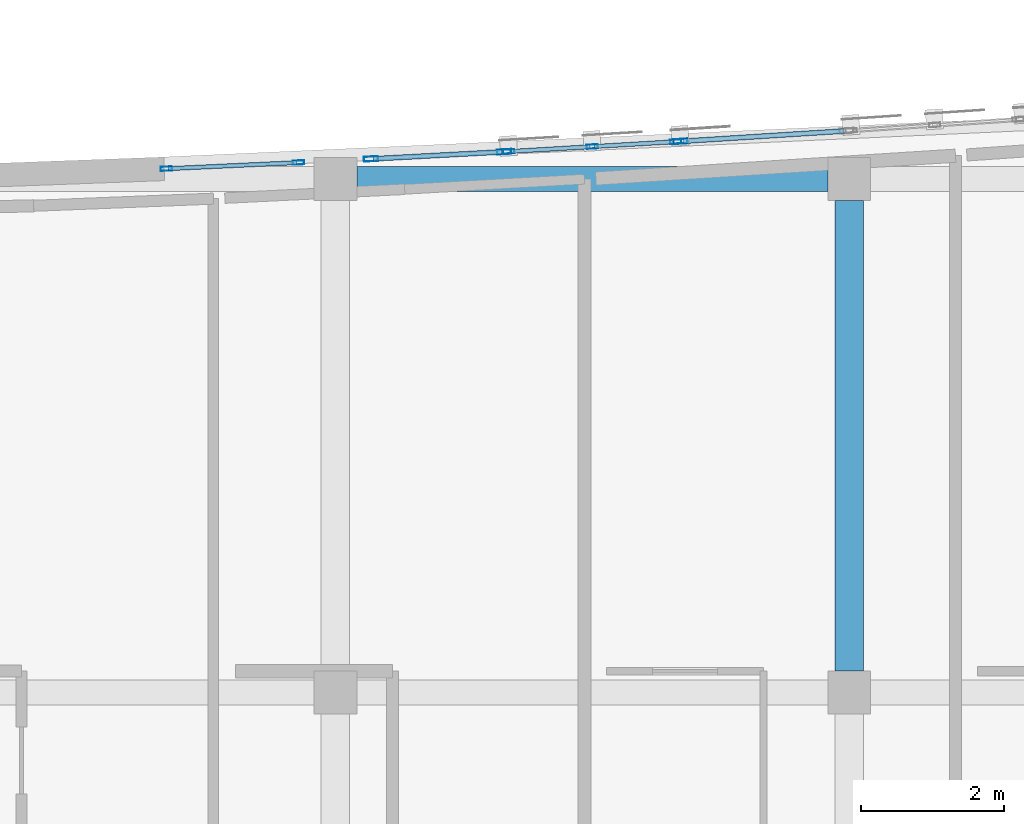
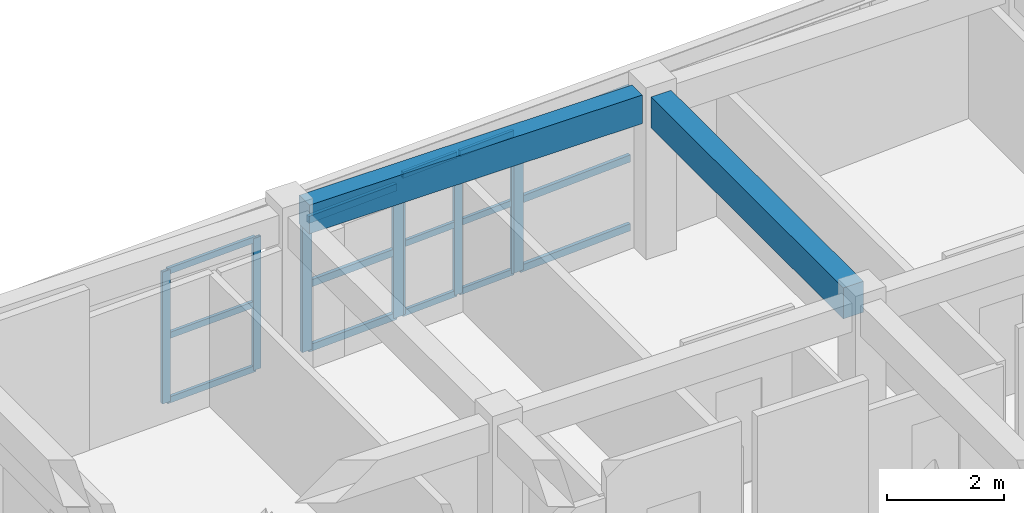
# One storey, part 5 of 41: 23 members, 2 beams, 4 elements without a shape of their own.
"""IFC4 building model written with IfcOpenShell, lengths in metres."""

from ifc_helpers import new_model, si_unit, direction, frame, origin, origin_2d, place, context, subcontext, project, spatial, rectangle, hollow_rectangle, extrude, material, layer, layer_set, material_profile, profile_set, type_object, element, aggregate, save


model = new_model("IFC4")

# Units and contexts
model_context = context("Model", 3, precision=1e-05, world=origin(), true_north=direction((0.0, 1.0)))
body_context = subcontext(model_context, "Body", "Model", "MODEL_VIEW")
ifc_project = project(units=[si_unit("LENGTHUNIT", "METRE"), si_unit("AREAUNIT", "SQUARE_METRE"), si_unit("VOLUMEUNIT", "CUBIC_METRE"), si_unit("PLANEANGLEUNIT", "RADIAN"), si_unit("MASSUNIT", "GRAM", prefix="KILO")], contexts=[model_context])

# Site, building, storey
site_placement = place(None, origin())
site = spatial("IfcSite", under=ifc_project, at=site_placement, CompositionType="ELEMENT")
building_placement = place(site_placement, origin())
building = spatial("IfcBuilding", under=site, at=building_placement, Name="Carrowvane Square Congress Hotel", CompositionType="ELEMENT")
storey_placement = place(building_placement, frame((0.0, 0.0, 37.199951171875)))
storey = spatial("IfcBuildingStorey", under=building, at=storey_placement, Name="L09", CompositionType="ELEMENT", Elevation=37.199951171875)

# Beams
ifc_material_1 = material(Name="Concrete C35/45", Category="concrete")
ifc_material_profile_1 = material_profile(ifc_material_1, rectangle(XDim=0.35009765625, YDim=0.60009765625, at=origin_2d()), Name="RC 350x600")
ifc_profile_set_1 = profile_set([ifc_material_profile_1], Name="Concrete C35/45")
beam_type_1 = type_object("IfcBeamType", Name="BM-RC-350x600", PredefinedType="BEAM", material=ifc_profile_set_1)
beam_1_placement = place(storey_placement, frame((40.699951171875, 113.39990234375, 3.080078125), z_axis=(1.0, 0.0, 0.0), x_axis=(0.0, 1.0, 0.0)))
element("IfcBeam", 1, at=beam_1_placement, inside=storey, type_object=beam_type_1, Name="L10 girder R/5-6", PredefinedType="BEAM", context=body_context, shape_type="SweptSolid", body=[
    extrude(rectangle(XDim=0.35009765625, YDim=0.60009765625, at=origin_2d()), origin(), (0.0, 0.0, 1.0), 6.60009765625),
])
ifc_material_2 = material(Name="Concrete C35/45", Category="concrete")
ifc_material_profile_2 = material_profile(ifc_material_2, rectangle(XDim=0.39990234375, YDim=0.64990234375, at=origin_2d()), Name="RC 400x650")
ifc_profile_set_2 = profile_set([ifc_material_profile_2], Name="Concrete C35/45")
beam_type_2 = type_object("IfcBeamType", Name="BM-RC-400x650", PredefinedType="BEAM", material=ifc_profile_set_2)
beam_2_placement = place(storey_placement, frame((47.60009765625, 106.5, 3.054931640625), z_axis=(0.0, 1.0, 0.0), x_axis=(-1.0, 0.0, 0.0)))
element("IfcBeam", 2, at=beam_2_placement, inside=storey, type_object=beam_type_2, Name="L10 girder 6/Q-R", PredefinedType="BEAM", context=body_context, shape_type="SweptSolid", body=[
    extrude(rectangle(XDim=0.39990234375, YDim=0.64990234375, at=origin_2d()), origin(), (0.0, 0.0, 1.0), 6.60009765625),
])

# Curtain wall, members
ifc_material_3 = material(Name="Anodised aluminium", Category="aluminium")
ifc_layer_1 = layer(ifc_material_3, 0.18603515625)
ifc_layer_set_1 = layer_set([ifc_layer_1], Name="Anodised aluminium")
curtain_wall_type_1 = type_object("IfcCurtainWallType", Name="CW-SYS-3", PredefinedType="NOTDEFINED", material=ifc_layer_set_1)
curtain_wall_1_placement = place(storey_placement, origin())
curtain_wall_1 = element("IfcCurtainWall", 3, at=curtain_wall_1_placement, inside=storey, type_object=curtain_wall_type_1, Name="L09 unitised curtain wall 506", PredefinedType="NOTDEFINED")
ifc_material_4 = material(Name="Anodised aluminium", Category="aluminium")
ifc_material_profile_3 = material_profile(ifc_material_4, hollow_rectangle(XDim=0.06005859375, YDim=0.159912109375, WallThickness=0.00390625, at=origin_2d()), Name="CW-ML 60x160x4")
ifc_profile_set_3 = profile_set([ifc_material_profile_3], Name="Anodised aluminium")
member_type_1 = type_object("IfcMemberType", Name="CW-MUL-1", PredefinedType="MULLION", material=ifc_profile_set_3)
member_1_placement = place(storey_placement, frame((38.030029296875, 113.54248046875, 0.0), z_axis=(0.0, 0.0, 1.0), x_axis=(-0.046522035775, 0.998917263935, 0.0)))
member_1 = element("IfcMember", 4, at=member_1_placement, type_object=member_type_1, Name="CW-3 mullion 1", PredefinedType="MULLION", context=body_context, shape_type="SweptSolid", body=[
    extrude(hollow_rectangle(XDim=0.06005859375, YDim=0.159912109375, WallThickness=0.00390625, at=origin_2d()), origin(), (0.0, 0.0, 1.0), 2.76513671875),
])
member_2_placement = place(storey_placement, frame((39.88134765625, 113.628662109375, 0.0), z_axis=(0.0, 0.0, 1.0), x_axis=(-0.046522035775, 0.998917263935, 0.0)))
member_2 = element("IfcMember", 5, at=member_2_placement, type_object=member_type_1, Name="CW-3 mullion 2", PredefinedType="MULLION", context=body_context, shape_type="SweptSolid", body=[
    extrude(hollow_rectangle(XDim=0.06005859375, YDim=0.159912109375, WallThickness=0.00390625, at=origin_2d()), origin(), (0.0, 0.0, 1.0), 2.76513671875),
])

ifc_material_5 = material(Name="Anodised aluminium", Category="aluminium")
ifc_layer_2 = layer(ifc_material_5, 0.2099609375)
ifc_layer_set_2 = layer_set([ifc_layer_2], Name="Anodised aluminium")
curtain_wall_type_2 = type_object("IfcCurtainWallType", Name="CW-SYS-5", PredefinedType="NOTDEFINED", material=ifc_layer_set_2)
curtain_wall_2_placement = place(storey_placement, origin())
curtain_wall_2 = element("IfcCurtainWall", 6, at=curtain_wall_2_placement, inside=storey, type_object=curtain_wall_type_2, Name="L09 unitised curtain wall 508", PredefinedType="NOTDEFINED")
member_3_placement = place(storey_placement, frame((42.829833984375, 113.783203125, 0.0), z_axis=(0.0, 0.0, 1.0), x_axis=(-0.058988522254, 0.99825866099, 0.0)))
member_3 = element("IfcMember", 7, at=member_3_placement, type_object=member_type_1, Name="CW-5 mullion 1", PredefinedType="MULLION", context=body_context, shape_type="SweptSolid", body=[
    extrude(hollow_rectangle(XDim=0.06005859375, YDim=0.159912109375, WallThickness=0.00390625, at=origin_2d()), origin(), (0.0, 0.0, 1.0), 2.95556640625),
])
member_4_placement = place(storey_placement, frame((44.0, 113.852294921875, 0.0), z_axis=(0.0, 0.0, 1.0), x_axis=(-0.058988522254, 0.99825866099, 0.0)))
member_4 = element("IfcMember", 8, at=member_4_placement, type_object=member_type_1, Name="CW-5 mullion 2", PredefinedType="MULLION", context=body_context, shape_type="SweptSolid", body=[
    extrude(hollow_rectangle(XDim=0.06005859375, YDim=0.159912109375, WallThickness=0.00390625, at=origin_2d()), origin(), (0.0, 0.0, 1.0), 2.95556640625),
])
member_5_placement = place(storey_placement, frame((45.170166015625, 113.92138671875, 0.0), z_axis=(0.0, 0.0, 1.0), x_axis=(-0.058988522254, 0.99825866099, 0.0)))
member_5 = element("IfcMember", 9, at=member_5_placement, type_object=member_type_1, Name="CW-5 mullion 3", PredefinedType="MULLION", context=body_context, shape_type="SweptSolid", body=[
    extrude(hollow_rectangle(XDim=0.06005859375, YDim=0.159912109375, WallThickness=0.00390625, at=origin_2d()), origin(), (0.0, 0.0, 1.0), 2.95556640625),
])

ifc_material_6 = material(Name="Anodised aluminium", Category="aluminium")
ifc_layer_3 = layer(ifc_material_6, 0.197998046875)
ifc_layer_set_3 = layer_set([ifc_layer_3], Name="Anodised aluminium")
curtain_wall_type_3 = type_object("IfcCurtainWallType", Name="CW-SYS-4", PredefinedType="NOTDEFINED", material=ifc_layer_set_3)
curtain_wall_3_placement = place(storey_placement, origin())
curtain_wall_3 = element("IfcCurtainWall", 10, at=curtain_wall_3_placement, inside=storey, type_object=curtain_wall_type_3, Name="L09 unitised curtain wall 507", PredefinedType="NOTDEFINED")
ifc_material_7 = material(Name="Anodised aluminium", Category="aluminium")
ifc_material_profile_4 = material_profile(ifc_material_7, hollow_rectangle(XDim=0.070068359375, YDim=0.199951171875, WallThickness=0.0048828125, at=origin_2d()), Name="CW-ML 70x200x5")
ifc_profile_set_4 = profile_set([ifc_material_profile_4], Name="Anodised aluminium")
member_type_2 = type_object("IfcMemberType", Name="CW-MUL-2", PredefinedType="MULLION", material=ifc_profile_set_4)
member_6_placement = place(storey_placement, frame((40.898193359375, 113.679443359375, 0.0), z_axis=(0.0, 0.0, 1.0), x_axis=(-0.053513817306, 0.998567109091, 0.0)))
member_6 = element("IfcMember", 11, at=member_6_placement, type_object=member_type_2, Name="CW-4 mullion 1", PredefinedType="MULLION", context=body_context, shape_type="SweptSolid", body=[
    extrude(hollow_rectangle(XDim=0.070068359375, YDim=0.199951171875, WallThickness=0.0048828125, at=origin_2d()), origin(), (0.0, 0.0, 1.0), 2.76513671875),
])
member_7_placement = place(storey_placement, frame((42.764892578125, 113.779541015625, 0.0), z_axis=(0.0, 0.0, 1.0), x_axis=(-0.053513817306, 0.998567109091, 0.0)))
member_7 = element("IfcMember", 12, at=member_7_placement, type_object=member_type_2, Name="CW-4 mullion 2", PredefinedType="MULLION", context=body_context, shape_type="SweptSolid", body=[
    extrude(hollow_rectangle(XDim=0.070068359375, YDim=0.199951171875, WallThickness=0.0048828125, at=origin_2d()), origin(), (0.0, 0.0, 1.0), 2.76513671875),
])

# Curtain wall, member
ifc_material_8 = material(Name="Anodised aluminium", Category="aluminium")
ifc_layer_4 = layer(ifc_material_8, 0.221923828125)
ifc_layer_set_4 = layer_set([ifc_layer_4], Name="Anodised aluminium")
curtain_wall_type_4 = type_object("IfcCurtainWallType", Name="CW-SYS-6", PredefinedType="NOTDEFINED", material=ifc_layer_set_4)
curtain_wall_4_placement = place(storey_placement, origin())
curtain_wall_4 = element("IfcCurtainWall", 13, at=curtain_wall_4_placement, inside=storey, type_object=curtain_wall_type_4, Name="L09 unitised curtain wall 509", PredefinedType="NOTDEFINED")
member_8_placement = place(storey_placement, frame((45.23486328125, 113.92529296875, 0.0), z_axis=(0.0, 0.0, 1.0), x_axis=(-0.063273487972, 0.997996225303, 0.0)))
member_8 = element("IfcMember", 14, at=member_8_placement, type_object=member_type_2, Name="CW-6 mullion 1", PredefinedType="MULLION", context=body_context, shape_type="SweptSolid", body=[
    extrude(hollow_rectangle(XDim=0.070068359375, YDim=0.199951171875, WallThickness=0.0048828125, at=origin_2d()), origin(), (0.0, 0.0, 1.0), 2.95556640625),
])

# Member
ifc_material_9 = material(Name="Anodised aluminium", Category="aluminium")
ifc_material_profile_5 = material_profile(ifc_material_9, hollow_rectangle(XDim=0.06005859375, YDim=0.1298828125, WallThickness=0.00390625, at=origin_2d()), Name="CW-TR 60x130x4")
ifc_profile_set_5 = profile_set([ifc_material_profile_5], Name="Anodised aluminium")
member_type_3 = type_object("IfcMemberType", Name="CW-TRN-1", PredefinedType="USERDEFINED", material=ifc_profile_set_5)
member_9_placement = place(storey_placement, frame((38.059814453125, 113.543701171875, 0.030029296875), z_axis=(0.998915968728, 0.04654983803, 0.0), x_axis=(-0.04654983803, 0.998915968728, 0.0)))
member_9 = element("IfcMember", 15, at=member_9_placement, type_object=member_type_3, Name="CW-3 transom 1.1", ObjectType="TRANSOM", PredefinedType="USERDEFINED", context=body_context, shape_type="SweptSolid", body=[
    extrude(hollow_rectangle(XDim=0.06005859375, YDim=0.1298828125, WallThickness=0.00390625, at=origin_2d()), origin(), (0.0, 0.0, 1.0), 1.793701171875),
])

member_10_placement = place(storey_placement, frame((38.059814453125, 113.543701171875, 1.382568359375), z_axis=(0.998915968728, 0.04654983803, 0.0), x_axis=(-0.04654983803, 0.998915968728, 0.0)))
member_10 = element("IfcMember", 16, at=member_10_placement, type_object=member_type_3, Name="CW-3 transom 1.2", ObjectType="TRANSOM", PredefinedType="USERDEFINED", context=body_context, shape_type="SweptSolid", body=[
    extrude(hollow_rectangle(XDim=0.06005859375, YDim=0.1298828125, WallThickness=0.00390625, at=origin_2d()), origin(), (0.0, 0.0, 1.0), 1.793701171875),
])

member_11_placement = place(storey_placement, frame((38.059814453125, 113.543701171875, 2.735107421875), z_axis=(0.998915968728, 0.04654983803, 0.0), x_axis=(-0.04654983803, 0.998915968728, 0.0)))
member_11 = element("IfcMember", 17, at=member_11_placement, type_object=member_type_3, Name="CW-3 transom 1.3", ObjectType="TRANSOM", PredefinedType="USERDEFINED", context=body_context, shape_type="SweptSolid", body=[
    extrude(hollow_rectangle(XDim=0.06005859375, YDim=0.1298828125, WallThickness=0.00390625, at=origin_2d()), origin(), (0.0, 0.0, 1.0), 1.793701171875),
])

aggregate(curtain_wall_1, [member_1, member_2, member_9, member_10, member_11])

member_12_placement = place(storey_placement, frame((42.85986328125, 113.784912109375, 0.030029296875), z_axis=(0.998254634076, 0.05905662999, 0.0), x_axis=(-0.05905662999, 0.998254634076, 0.0)))
member_12 = element("IfcMember", 18, at=member_12_placement, type_object=member_type_3, Name="CW-5 transom 1.1", ObjectType="TRANSOM", PredefinedType="USERDEFINED", context=body_context, shape_type="SweptSolid", body=[
    extrude(hollow_rectangle(XDim=0.06005859375, YDim=0.1298828125, WallThickness=0.00390625, at=origin_2d()), origin(), (0.0, 0.0, 1.0), 1.112060546875),
])

member_13_placement = place(storey_placement, frame((42.85986328125, 113.784912109375, 1.477783203125), z_axis=(0.998254634076, 0.05905662999, 0.0), x_axis=(-0.05905662999, 0.998254634076, 0.0)))
member_13 = element("IfcMember", 19, at=member_13_placement, type_object=member_type_3, Name="CW-5 transom 1.2", ObjectType="TRANSOM", PredefinedType="USERDEFINED", context=body_context, shape_type="SweptSolid", body=[
    extrude(hollow_rectangle(XDim=0.06005859375, YDim=0.1298828125, WallThickness=0.00390625, at=origin_2d()), origin(), (0.0, 0.0, 1.0), 1.112060546875),
])

member_14_placement = place(storey_placement, frame((42.85986328125, 113.784912109375, 2.925537109375), z_axis=(0.998254634076, 0.05905662999, 0.0), x_axis=(-0.05905662999, 0.998254634076, 0.0)))
member_14 = element("IfcMember", 20, at=member_14_placement, type_object=member_type_3, Name="CW-5 transom 1.3", ObjectType="TRANSOM", PredefinedType="USERDEFINED", context=body_context, shape_type="SweptSolid", body=[
    extrude(hollow_rectangle(XDim=0.06005859375, YDim=0.1298828125, WallThickness=0.00390625, at=origin_2d()), origin(), (0.0, 0.0, 1.0), 1.112060546875),
])

member_15_placement = place(storey_placement, frame((44.030029296875, 113.85400390625, 0.030029296875), z_axis=(0.998254634076, 0.05905662999, 0.0), x_axis=(-0.05905662999, 0.998254634076, 0.0)))
member_15 = element("IfcMember", 21, at=member_15_placement, type_object=member_type_3, Name="CW-5 transom 2.1", ObjectType="TRANSOM", PredefinedType="USERDEFINED", context=body_context, shape_type="SweptSolid", body=[
    extrude(hollow_rectangle(XDim=0.06005859375, YDim=0.1298828125, WallThickness=0.00390625, at=origin_2d()), origin(), (0.0, 0.0, 1.0), 1.112060546875),
])

member_16_placement = place(storey_placement, frame((44.030029296875, 113.85400390625, 1.477783203125), z_axis=(0.998254634076, 0.05905662999, 0.0), x_axis=(-0.05905662999, 0.998254634076, 0.0)))
member_16 = element("IfcMember", 22, at=member_16_placement, type_object=member_type_3, Name="CW-5 transom 2.2", ObjectType="TRANSOM", PredefinedType="USERDEFINED", context=body_context, shape_type="SweptSolid", body=[
    extrude(hollow_rectangle(XDim=0.06005859375, YDim=0.1298828125, WallThickness=0.00390625, at=origin_2d()), origin(), (0.0, 0.0, 1.0), 1.112060546875),
])

member_17_placement = place(storey_placement, frame((44.030029296875, 113.85400390625, 2.925537109375), z_axis=(0.998254634076, 0.05905662999, 0.0), x_axis=(-0.05905662999, 0.998254634076, 0.0)))
member_17 = element("IfcMember", 23, at=member_17_placement, type_object=member_type_3, Name="CW-5 transom 2.3", ObjectType="TRANSOM", PredefinedType="USERDEFINED", context=body_context, shape_type="SweptSolid", body=[
    extrude(hollow_rectangle(XDim=0.06005859375, YDim=0.1298828125, WallThickness=0.00390625, at=origin_2d()), origin(), (0.0, 0.0, 1.0), 1.112060546875),
])

aggregate(curtain_wall_2, [member_3, member_4, member_5, member_12, member_13, member_14, member_15, member_16, member_17])

ifc_material_10 = material(Name="Anodised aluminium", Category="aluminium")
ifc_material_profile_6 = material_profile(ifc_material_10, hollow_rectangle(XDim=0.070068359375, YDim=0.14990234375, WallThickness=0.0048828125, at=origin_2d()), Name="CW-TR 70x150x5")
ifc_profile_set_6 = profile_set([ifc_material_profile_6], Name="Anodised aluminium")
member_type_4 = type_object("IfcMemberType", Name="CW-TRN-2", PredefinedType="USERDEFINED", material=ifc_profile_set_6)
member_18_placement = place(storey_placement, frame((40.93310546875, 113.681396484375, 0.03515625), z_axis=(0.998570202242, 0.053456067892, 0.0), x_axis=(-0.053456067892, 0.998570202242, 0.0)))
member_18 = element("IfcMember", 24, at=member_18_placement, type_object=member_type_4, Name="CW-4 transom 1.1", ObjectType="TRANSOM", PredefinedType="USERDEFINED", context=body_context, shape_type="SweptSolid", body=[
    extrude(hollow_rectangle(XDim=0.070068359375, YDim=0.14990234375, WallThickness=0.0048828125, at=origin_2d()), origin(), (0.0, 0.0, 1.0), 1.799560546875),
])

member_19_placement = place(storey_placement, frame((40.93310546875, 113.681396484375, 1.382568359375), z_axis=(0.998570202242, 0.053456067892, 0.0), x_axis=(-0.053456067892, 0.998570202242, 0.0)))
member_19 = element("IfcMember", 25, at=member_19_placement, type_object=member_type_4, Name="CW-4 transom 1.2", ObjectType="TRANSOM", PredefinedType="USERDEFINED", context=body_context, shape_type="SweptSolid", body=[
    extrude(hollow_rectangle(XDim=0.070068359375, YDim=0.14990234375, WallThickness=0.0048828125, at=origin_2d()), origin(), (0.0, 0.0, 1.0), 1.799560546875),
])

member_20_placement = place(storey_placement, frame((40.93310546875, 113.681396484375, 2.72998046875), z_axis=(0.998570202242, 0.053456067892, 0.0), x_axis=(-0.053456067892, 0.998570202242, 0.0)))
member_20 = element("IfcMember", 26, at=member_20_placement, type_object=member_type_4, Name="CW-4 transom 1.3", ObjectType="TRANSOM", PredefinedType="USERDEFINED", context=body_context, shape_type="SweptSolid", body=[
    extrude(hollow_rectangle(XDim=0.070068359375, YDim=0.14990234375, WallThickness=0.0048828125, at=origin_2d()), origin(), (0.0, 0.0, 1.0), 1.799560546875),
])

aggregate(curtain_wall_3, [member_6, member_7, member_18, member_19, member_20])

member_21_placement = place(storey_placement, frame((45.269775390625, 113.927490234375, 0.03515625), z_axis=(0.997995967248, 0.063277558088, 0.0), x_axis=(-0.063277558088, 0.997995967248, 0.0)))
member_21 = element("IfcMember", 27, at=member_21_placement, type_object=member_type_4, Name="CW-6 transom 1.1", ObjectType="TRANSOM", PredefinedType="USERDEFINED", context=body_context, shape_type="SweptSolid", body=[
    extrude(hollow_rectangle(XDim=0.070068359375, YDim=0.14990234375, WallThickness=0.0048828125, at=origin_2d()), origin(), (0.0, 0.0, 1.0), 2.264892578125),
])

member_22_placement = place(storey_placement, frame((45.269775390625, 113.927490234375, 1.477783203125), z_axis=(0.997995967248, 0.063277558088, 0.0), x_axis=(-0.063277558088, 0.997995967248, 0.0)))
member_22 = element("IfcMember", 28, at=member_22_placement, type_object=member_type_4, Name="CW-6 transom 1.2", ObjectType="TRANSOM", PredefinedType="USERDEFINED", context=body_context, shape_type="SweptSolid", body=[
    extrude(hollow_rectangle(XDim=0.070068359375, YDim=0.14990234375, WallThickness=0.0048828125, at=origin_2d()), origin(), (0.0, 0.0, 1.0), 2.264892578125),
])

member_23_placement = place(storey_placement, frame((45.269775390625, 113.927490234375, 2.920654296875), z_axis=(0.997995967248, 0.063277558088, 0.0), x_axis=(-0.063277558088, 0.997995967248, 0.0)))
member_23 = element("IfcMember", 29, at=member_23_placement, type_object=member_type_4, Name="CW-6 transom 1.3", ObjectType="TRANSOM", PredefinedType="USERDEFINED", context=body_context, shape_type="SweptSolid", body=[
    extrude(hollow_rectangle(XDim=0.070068359375, YDim=0.14990234375, WallThickness=0.0048828125, at=origin_2d()), origin(), (0.0, 0.0, 1.0), 2.264892578125),
])

aggregate(curtain_wall_4, [member_8, member_21, member_22, member_23])

save(model, "model.ifc")
